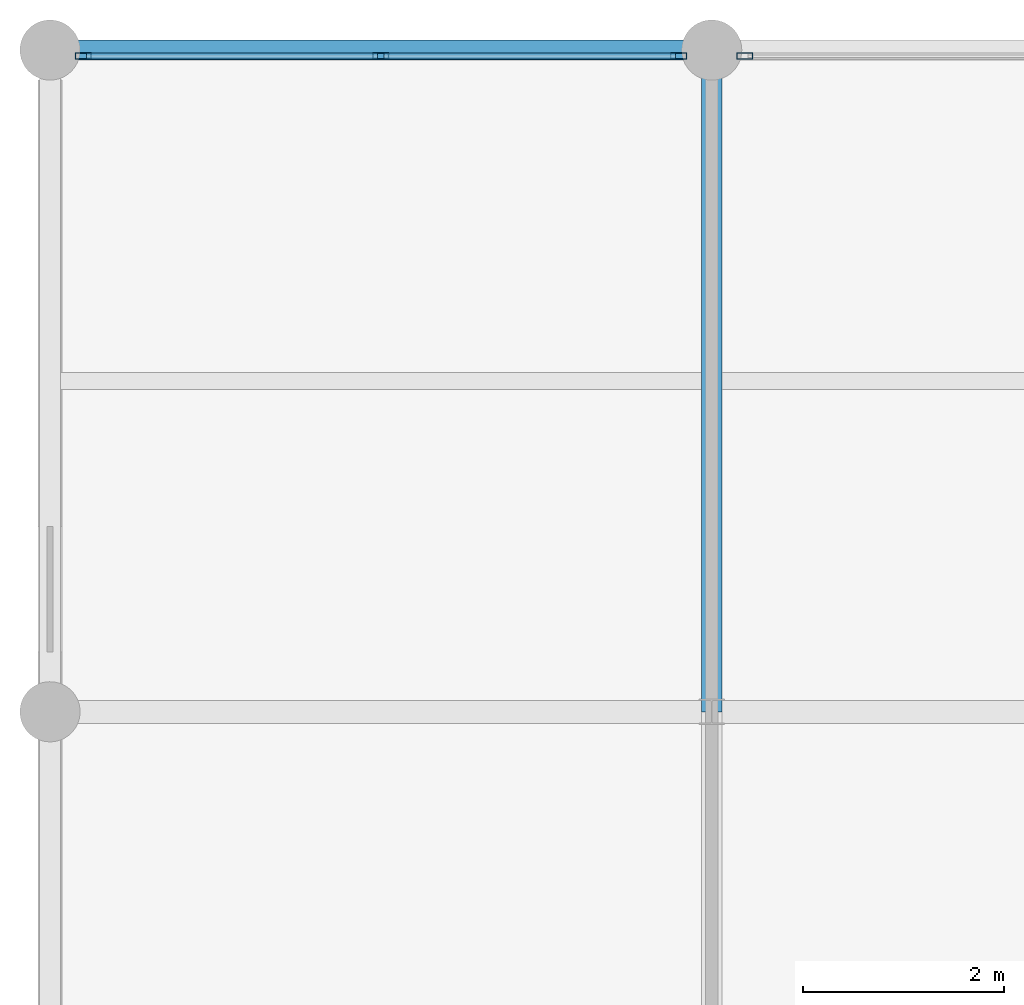
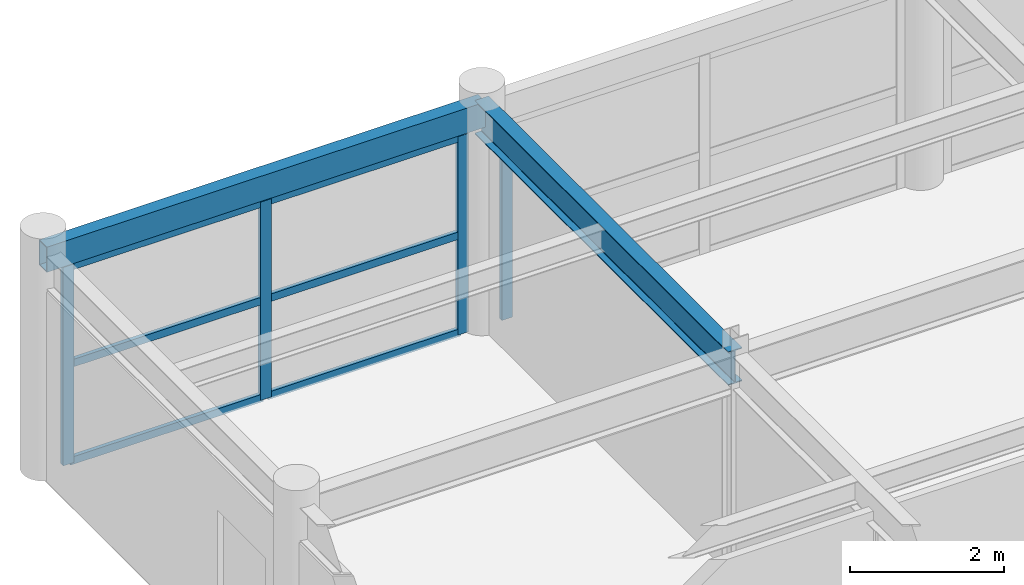
# One storey, part 4 of 17: 10 members, 2 beams, 2 elements without a shape of their own.
"""IFC4 building model written with IfcOpenShell, lengths in metres."""

from ifc_helpers import new_model, si_unit, direction, frame, origin, origin_2d, place, context, subcontext, project, spatial, hollow_rectangle, i_section, extrude, material, material_profile, profile_set, type_object, element, aggregate, save


model = new_model("IFC4")

# Units and contexts
model_context = context("Model", 3, precision=1e-05, world=origin(), true_north=direction((0.0, 1.0)))
body_context = subcontext(model_context, "Body", "Model", "MODEL_VIEW")
ifc_project = project(units=[si_unit("LENGTHUNIT", "METRE"), si_unit("AREAUNIT", "SQUARE_METRE"), si_unit("VOLUMEUNIT", "CUBIC_METRE"), si_unit("PLANEANGLEUNIT", "RADIAN"), si_unit("MASSUNIT", "GRAM", prefix="KILO")], contexts=[model_context])

# Site, building, storey
site_placement = place(None, origin())
site = spatial("IfcSite", under=ifc_project, at=site_placement, CompositionType="ELEMENT")
building_placement = place(site_placement, origin())
building = spatial("IfcBuilding", under=site, at=building_placement, Name="Karori Crest Natural Sciences Institute", CompositionType="ELEMENT")
storey_placement = place(building_placement, frame((0.0, 0.0, 38.14990234375)))
storey = spatial("IfcBuildingStorey", under=building, at=storey_placement, Name="L09", CompositionType="ELEMENT", Elevation=38.14990234375)

# Beams
ifc_material_1 = material(Name="Structural steel AS/NZS 3679.1 Grade 350", Category="steel")
ifc_material_profile_1 = material_profile(ifc_material_1, i_section(OverallWidth=0.208984375, OverallDepth=0.532958984375, WebThickness=0.01025390625, FlangeThickness=0.015625, FilletRadius=0.013916015625, at=origin_2d()), Name="530UB92.4")
ifc_profile_set_1 = profile_set([ifc_material_profile_1], Name="Structural steel AS/NZS 3679.1 Grade 350")
beam_type_1 = type_object("IfcBeamType", Name="BT-05", PredefinedType="BEAM", material=ifc_profile_set_1)
beam_1_placement = place(storey_placement, frame((110.199951171875, 14.0, 3.3037109375), z_axis=(0.0, 1.0, 0.0), x_axis=(-1.0, 0.0, 0.0)))
element("IfcBeam", 1, at=beam_1_placement, inside=storey, type_object=beam_type_1, Name="Beam B-2793", PredefinedType="BEAM", context=body_context, shape_type="SweptSolid", body=[
    extrude(i_section(OverallWidth=0.208984375, OverallDepth=0.532958984375, WebThickness=0.01025390625, FlangeThickness=0.015625, FilletRadius=0.013916015625, at=origin_2d()), origin(), (0.0, 0.0, 1.0), 6.60009765625),
])
ifc_material_2 = material(Name="Hollow structural steel AS/NZS 1163 Grade C350", Category="steel")
ifc_material_profile_2 = material_profile(ifc_material_2, hollow_rectangle(XDim=0.199951171875, YDim=0.39990234375, WallThickness=0.012451171875, at=origin_2d()), Name="RHS400x200x12.5")
ifc_profile_set_2 = profile_set([ifc_material_profile_2], Name="Hollow structural steel AS/NZS 1163 Grade C350")
beam_type_2 = type_object("IfcBeamType", Name="BT-14", PredefinedType="SPANDREL", material=ifc_profile_set_2)
beam_2_placement = place(storey_placement, frame((103.60009765625, 20.60009765625, 3.3701171875), z_axis=(1.0, 0.0, 0.0), x_axis=(0.0, 1.0, 0.0)))
element("IfcBeam", 2, at=beam_2_placement, inside=storey, type_object=beam_type_2, Name="Beam B-2781", PredefinedType="SPANDREL", context=body_context, shape_type="SweptSolid", body=[
    extrude(hollow_rectangle(XDim=0.199951171875, YDim=0.39990234375, WallThickness=0.012451171875, at=origin_2d()), origin(), (0.0, 0.0, 1.0), 6.599853515625),
])

# Curtain wall, members
ifc_material_3 = material(Name="Anodised architectural aluminium 6063-T6", Category="aluminium")
curtain_wall_type = type_object("IfcCurtainWallType", Name="CWT-20", PredefinedType="NOTDEFINED", material=ifc_material_3)
curtain_wall_1_placement = place(storey_placement, origin())
curtain_wall_1 = element("IfcCurtainWall", 3, at=curtain_wall_1_placement, inside=storey, type_object=curtain_wall_type, Name="Curtain wall CW-0372", PredefinedType="NOTDEFINED")
ifc_material_profile_3 = material_profile(ifc_material_3, hollow_rectangle(XDim=0.06494140625, YDim=0.159912109375, WallThickness=0.00390625, at=origin_2d()), Name="CWM160x65x4")
ifc_profile_set_3 = profile_set([ifc_material_profile_3], Name="Anodised architectural aluminium 6063-T6")
member_type_1 = type_object("IfcMemberType", Name="CWM-01", PredefinedType="MULLION", material=ifc_profile_set_3)
member_1_placement = place(storey_placement, frame((103.930419921875, 20.5400390625, 0.0), z_axis=(0.0, 0.0, 1.0), x_axis=(0.0, 1.0, 0.0)))
member_1 = element("IfcMember", 4, at=member_1_placement, type_object=member_type_1, Name="CW-0372 mullion 1", PredefinedType="MULLION", context=body_context, shape_type="SweptSolid", body=[
    extrude(hollow_rectangle(XDim=0.06494140625, YDim=0.159912109375, WallThickness=0.00390625, at=origin_2d()), origin(), (0.0, 0.0, 1.0), 3.155029296875),
])
member_2_placement = place(storey_placement, frame((106.89990234375, 20.5400390625, 0.0), z_axis=(0.0, 0.0, 1.0), x_axis=(0.0, 1.0, 0.0)))
member_2 = element("IfcMember", 5, at=member_2_placement, type_object=member_type_1, Name="CW-0372 mullion 2", PredefinedType="MULLION", context=body_context, shape_type="SweptSolid", body=[
    extrude(hollow_rectangle(XDim=0.06494140625, YDim=0.159912109375, WallThickness=0.00390625, at=origin_2d()), origin(), (0.0, 0.0, 1.0), 3.155029296875),
])
member_3_placement = place(storey_placement, frame((109.869384765625, 20.5400390625, 0.0), z_axis=(0.0, 0.0, 1.0), x_axis=(0.0, 1.0, 0.0)))
member_3 = element("IfcMember", 6, at=member_3_placement, type_object=member_type_1, Name="CW-0372 mullion 3", PredefinedType="MULLION", context=body_context, shape_type="SweptSolid", body=[
    extrude(hollow_rectangle(XDim=0.06494140625, YDim=0.159912109375, WallThickness=0.00390625, at=origin_2d()), origin(), (0.0, 0.0, 1.0), 3.155029296875),
])

# Curtain wall, member
curtain_wall_2_placement = place(storey_placement, origin())
curtain_wall_2 = element("IfcCurtainWall", 7, at=curtain_wall_2_placement, inside=storey, type_object=curtain_wall_type, Name="Curtain wall CW-0373", PredefinedType="NOTDEFINED")
member_4_placement = place(storey_placement, frame((110.530517578125, 20.5400390625, 0.0), z_axis=(0.0, 0.0, 1.0), x_axis=(0.0, 1.0, 0.0)))
member_4 = element("IfcMember", 8, at=member_4_placement, type_object=member_type_1, Name="CW-0373 mullion 1", PredefinedType="MULLION", context=body_context, shape_type="SweptSolid", body=[
    extrude(hollow_rectangle(XDim=0.06494140625, YDim=0.159912109375, WallThickness=0.00390625, at=origin_2d()), origin(), (0.0, 0.0, 1.0), 3.155029296875),
])
aggregate(curtain_wall_2, [member_4])

# Member
ifc_material_profile_4 = material_profile(ifc_material_3, hollow_rectangle(XDim=0.06005859375, YDim=0.1201171875, WallThickness=0.00390625, at=origin_2d()), Name="CWT120x60x4")
ifc_profile_set_4 = profile_set([ifc_material_profile_4], Name="Anodised architectural aluminium 6063-T6")
member_type_2 = type_object("IfcMemberType", Name="CWT-TR1", PredefinedType="USERDEFINED", material=ifc_profile_set_4)
member_5_placement = place(storey_placement, frame((103.962890625, 20.5400390625, 0.030029296875), z_axis=(1.0, 0.0, 0.0), x_axis=(0.0, 1.0, 0.0)))
member_5 = element("IfcMember", 9, at=member_5_placement, type_object=member_type_2, Name="CW-0372 transom 1.1", ObjectType="TRANSOM", PredefinedType="USERDEFINED", context=body_context, shape_type="SweptSolid", body=[
    extrude(hollow_rectangle(XDim=0.06005859375, YDim=0.1201171875, WallThickness=0.00390625, at=origin_2d()), origin(), (0.0, 0.0, 1.0), 2.904541015625),
])

member_6_placement = place(storey_placement, frame((103.962890625, 20.5400390625, 1.57763671875), z_axis=(1.0, 0.0, 0.0), x_axis=(0.0, 1.0, 0.0)))
member_6 = element("IfcMember", 10, at=member_6_placement, type_object=member_type_2, Name="CW-0372 transom 1.2", ObjectType="TRANSOM", PredefinedType="USERDEFINED", context=body_context, shape_type="SweptSolid", body=[
    extrude(hollow_rectangle(XDim=0.06005859375, YDim=0.1201171875, WallThickness=0.00390625, at=origin_2d()), origin(), (0.0, 0.0, 1.0), 2.904541015625),
])

member_7_placement = place(storey_placement, frame((103.962890625, 20.5400390625, 3.125), z_axis=(1.0, 0.0, 0.0), x_axis=(0.0, 1.0, 0.0)))
member_7 = element("IfcMember", 11, at=member_7_placement, type_object=member_type_2, Name="CW-0372 transom 1.3", ObjectType="TRANSOM", PredefinedType="USERDEFINED", context=body_context, shape_type="SweptSolid", body=[
    extrude(hollow_rectangle(XDim=0.06005859375, YDim=0.1201171875, WallThickness=0.00390625, at=origin_2d()), origin(), (0.0, 0.0, 1.0), 2.904541015625),
])

member_8_placement = place(storey_placement, frame((106.9326171875, 20.5400390625, 0.030029296875), z_axis=(1.0, 0.0, 0.0), x_axis=(0.0, 1.0, 0.0)))
member_8 = element("IfcMember", 12, at=member_8_placement, type_object=member_type_2, Name="CW-0372 transom 2.1", ObjectType="TRANSOM", PredefinedType="USERDEFINED", context=body_context, shape_type="SweptSolid", body=[
    extrude(hollow_rectangle(XDim=0.06005859375, YDim=0.1201171875, WallThickness=0.00390625, at=origin_2d()), origin(), (0.0, 0.0, 1.0), 2.904296875),
])

member_9_placement = place(storey_placement, frame((106.9326171875, 20.5400390625, 1.57763671875), z_axis=(1.0, 0.0, 0.0), x_axis=(0.0, 1.0, 0.0)))
member_9 = element("IfcMember", 13, at=member_9_placement, type_object=member_type_2, Name="CW-0372 transom 2.2", ObjectType="TRANSOM", PredefinedType="USERDEFINED", context=body_context, shape_type="SweptSolid", body=[
    extrude(hollow_rectangle(XDim=0.06005859375, YDim=0.1201171875, WallThickness=0.00390625, at=origin_2d()), origin(), (0.0, 0.0, 1.0), 2.904296875),
])

member_10_placement = place(storey_placement, frame((106.9326171875, 20.5400390625, 3.125), z_axis=(1.0, 0.0, 0.0), x_axis=(0.0, 1.0, 0.0)))
member_10 = element("IfcMember", 14, at=member_10_placement, type_object=member_type_2, Name="CW-0372 transom 2.3", ObjectType="TRANSOM", PredefinedType="USERDEFINED", context=body_context, shape_type="SweptSolid", body=[
    extrude(hollow_rectangle(XDim=0.06005859375, YDim=0.1201171875, WallThickness=0.00390625, at=origin_2d()), origin(), (0.0, 0.0, 1.0), 2.904296875),
])

aggregate(curtain_wall_1, [member_1, member_2, member_3, member_5, member_6, member_7, member_8, member_9, member_10])

save(model, "model.ifc")
